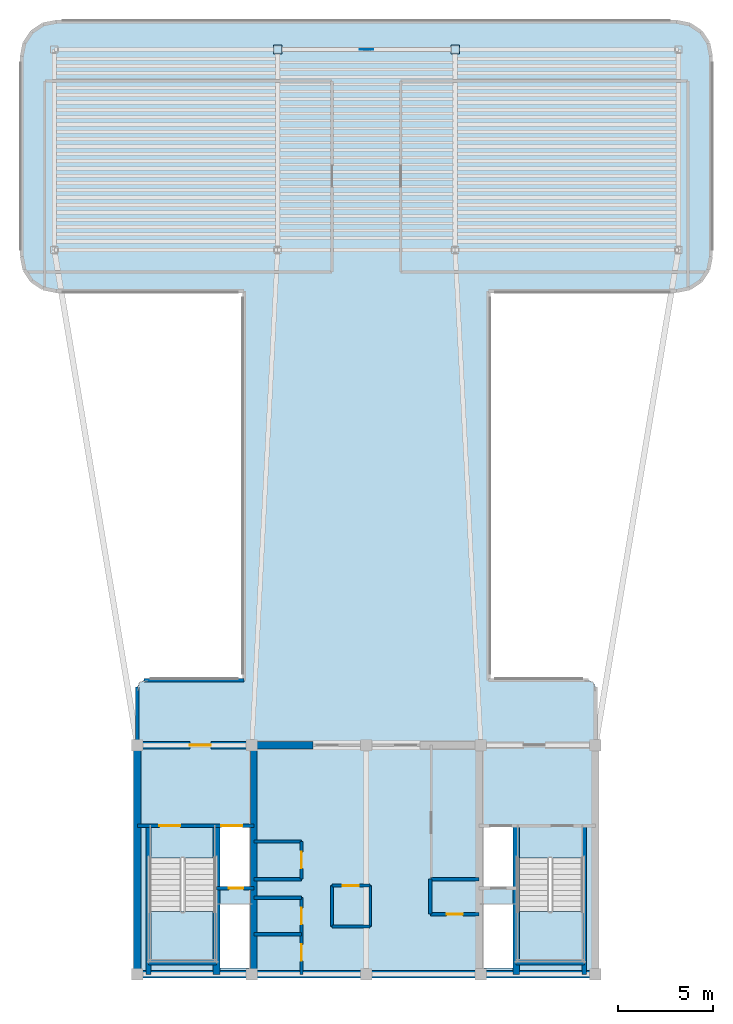
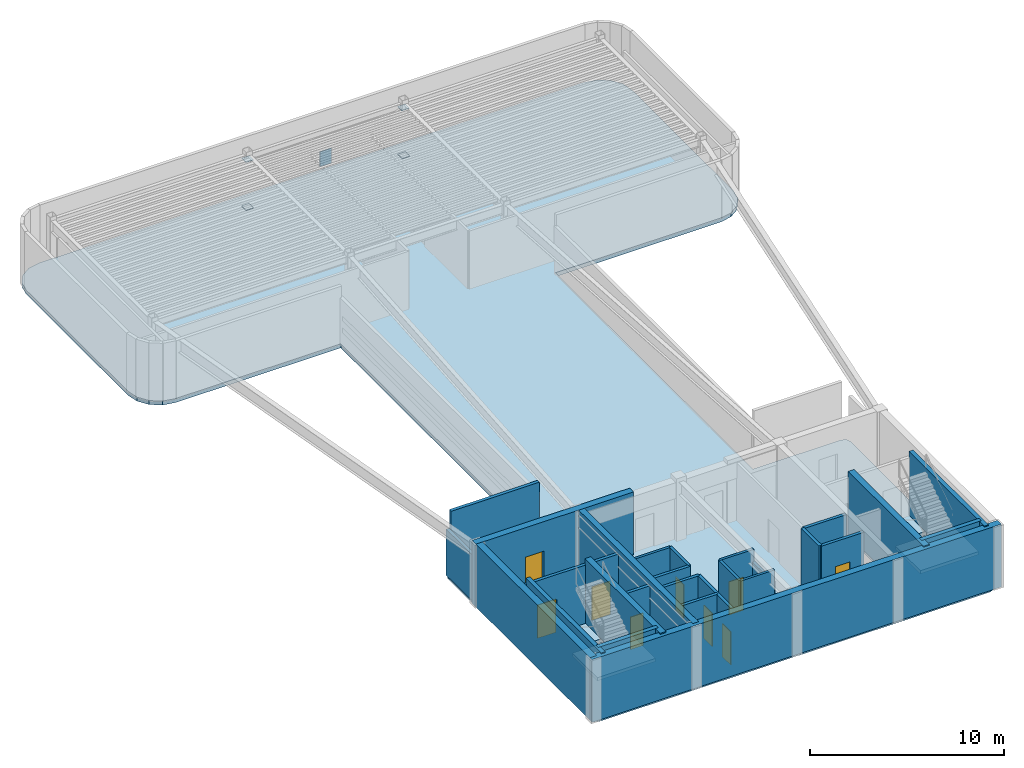
# One storey, part 2 of 6: 27 walls, 9 doors, 5 plates, 3 slabs, 9 openings, 2 elements without a shape of their own.
"""IFC4 building model written with IfcOpenShell, lengths in metres."""

from ifc_helpers import new_model, si_unit, direction, frame, frame_2d, origin, origin_2d, place, context, subcontext, project, spatial, polyline, rectangle, outline, extrude, source, transform, mapped, material, layer, layer_set, type_object, element, fill, aggregate, save


model = new_model("IFC4")

# Units and contexts
model_context = context("Model", 3, precision=1e-05, world=origin(), true_north=direction((0.0, 1.0)))
body_context = subcontext(model_context, "Body", "Model", "MODEL_VIEW")
ifc_project = project(units=[si_unit("LENGTHUNIT", "METRE"), si_unit("AREAUNIT", "SQUARE_METRE"), si_unit("VOLUMEUNIT", "CUBIC_METRE"), si_unit("PLANEANGLEUNIT", "RADIAN"), si_unit("MASSUNIT", "GRAM", prefix="KILO")], contexts=[model_context])

# Site, building, storey
site_placement = place(None, origin())
site = spatial("IfcSite", under=ifc_project, at=site_placement, CompositionType="ELEMENT")
building_placement = place(site_placement, origin())
building = spatial("IfcBuilding", under=site, at=building_placement, Name="Brelvock Crest Care Tower", CompositionType="ELEMENT")
storey_placement = place(building_placement, frame((0.0, 0.0, 303.840087890625)))
storey = spatial("IfcBuildingStorey", under=building, at=storey_placement, Name="L77", CompositionType="ELEMENT", Elevation=303.840087890625)

# Slab
ifc_material_1 = material(Name="Concrete N50 (50 MPa)", Category="concrete")
ifc_layer_1 = layer(ifc_material_1, 0.25, Name="SLB-FL3")
ifc_layer_set_1 = layer_set([ifc_layer_1], Name="Concrete N50 (50 MPa)")
slab_type_1 = type_object("IfcSlabType", Name="SLB-FL3", PredefinedType="FLOOR", material=ifc_layer_set_1)
slab_1_placement = place(storey_placement, frame((0.0, 0.0, -0.25)))
element("IfcSlab", 1, at=slab_1_placement, inside=storey, type_object=slab_type_1, Name="L77 Main Structural Slab", PredefinedType="FLOOR", context=body_context, shape_type="SweptSolid", body=[
    extrude(outline(polyline([(42.39990234375, 21.39990234375), (42.39990234375, 41.800048828125), (52.25, 41.800048828125), (52.938720703125, 41.93701171875), (53.522705078125, 42.3271484375), (53.9130859375, 42.9111328125), (54.050048828125, 43.60009765625), (54.050048828125, 54.10009765625), (53.9130859375, 54.788818359375), (53.522705078125, 55.372802734375), (52.938720703125, 55.762939453125), (52.25, 55.89990234375), (19.75, 55.89990234375), (19.061279296875, 55.762939453125), (18.477294921875, 55.372802734375), (18.0869140625, 54.788818359375), (17.949951171875, 54.10009765625), (17.949951171875, 43.60009765625), (18.0869140625, 42.9111328125), (18.477294921875, 42.3271484375), (19.061279296875, 41.93701171875), (19.75, 41.800048828125), (29.60009765625, 41.800048828125), (29.60009765625, 21.39990234375), (24.35009765625, 21.39990234375), (24.1025390625, 21.297607421875), (24.0, 21.050048828125), (24.0, 6.35009765625), (24.1025390625, 6.1025390625), (24.35009765625, 6.0), (47.64990234375, 6.0), (47.8974609375, 6.1025390625), (48.0, 6.35009765625), (48.0, 21.050048828125), (47.8974609375, 21.297607421875), (47.64990234375, 21.39990234375), (42.39990234375, 21.39990234375)]), holes=[polyline([(28.239990234375, 10.580078125), (29.97998046875, 10.580078125), (29.97998046875, 13.739990234375), (28.239990234375, 13.739990234375), (28.239990234375, 10.580078125)]), polyline([(42.02001953125, 10.580078125), (43.760009765625, 10.580078125), (43.760009765625, 13.739990234375), (42.02001953125, 13.739990234375), (42.02001953125, 10.580078125)]), polyline([(28.239990234375, 6.340087890625), (29.97998046875, 6.340087890625), (29.97998046875, 9.64990234375), (28.239990234375, 9.64990234375), (28.239990234375, 6.340087890625)]), polyline([(24.6298828125, 12.080078125), (24.6298828125, 6.699951171875), (28.110107421875, 6.699951171875), (28.110107421875, 12.080078125), (24.6298828125, 12.080078125)]), polyline([(43.889892578125, 12.080078125), (43.889892578125, 6.699951171875), (47.3701171875, 6.699951171875), (47.3701171875, 12.080078125), (43.889892578125, 12.080078125)]), polyline([(42.02001953125, 6.340087890625), (43.760009765625, 6.340087890625), (43.760009765625, 9.64990234375), (42.02001953125, 9.64990234375), (42.02001953125, 6.340087890625)])]), origin(), (0.0, 0.0, 1.0), 0.25),
])

# Stair, slab
ifc_material_2 = material(Name="Concrete N40 (40 MPa)", Category="concrete")
stair_type = type_object("IfcStairType", Name="ST-CORE1", PredefinedType="HALF_TURN_STAIR", material=ifc_material_2)
stair_1_placement = place(storey_placement, origin())
stair_1 = element("IfcStair", 2, at=stair_1_placement, inside=storey, type_object=stair_type, Name="L77 Fire-Isolated Core Stair ST-1", PredefinedType="HALF_TURN_STAIR")
ifc_layer_2 = layer(ifc_material_2, 0.199951171875, Name="STL-1")
ifc_layer_set_2 = layer_set([ifc_layer_2], Name="Concrete N40 (40 MPa)")
slab_type_2 = type_object("IfcSlabType", Name="STL-1", PredefinedType="LANDING", material=ifc_layer_set_2)
slab_2_placement = place(storey_placement, frame((0.0, 0.0, 1.780029296875)))
slab_2 = element("IfcSlab", 3, at=slab_2_placement, type_object=slab_type_2, Name="ST-1 landing 1", PredefinedType="LANDING", context=body_context, shape_type="SweptSolid", body=[
    extrude(outline(polyline([(24.6298828125, 9.280029296875), (24.6298828125, 6.699951171875), (28.110107421875, 6.699951171875), (28.110107421875, 9.280029296875), (24.6298828125, 9.280029296875)])), origin(), (0.0, 0.0, 1.0), 0.199951171875),
])
aggregate(stair_1, [slab_2])

stair_2_placement = place(storey_placement, origin())
stair_2 = element("IfcStair", 4, at=stair_2_placement, inside=storey, type_object=stair_type, Name="L77 Fire-Isolated Core Stair ST-2", PredefinedType="HALF_TURN_STAIR")
slab_3_placement = place(storey_placement, frame((0.0, 0.0, 1.780029296875)))
slab_3 = element("IfcSlab", 5, at=slab_3_placement, type_object=slab_type_2, Name="ST-2 landing 1", PredefinedType="LANDING", context=body_context, shape_type="SweptSolid", body=[
    extrude(outline(polyline([(43.889892578125, 9.280029296875), (43.889892578125, 6.699951171875), (47.3701171875, 6.699951171875), (47.3701171875, 9.280029296875), (43.889892578125, 9.280029296875)])), origin(), (0.0, 0.0, 1.0), 0.199951171875),
])
aggregate(stair_2, [slab_3])

# Plates
ifc_material_3 = material(Name="Steel Grade 350", Category="steel")
plate_type_1 = type_object("IfcPlateType", Name="PLT-EC3", PredefinedType="USERDEFINED", material=ifc_material_3)
shared_shape_1 = source(origin(), body_context, "Body", "SweptSolid", [
    extrude(rectangle(XDim=0.449951171875, YDim=0.449951171875, at=origin_2d()), origin(), (0.0, 0.0, 1.0), 0.02490234375),
])
for number, where, z_axis, x_axis, name in (
    (6, (31.35009765625, 54.449951171875, 0.33740234375), (0.0, 0.0, 1.0), (1.0, 0.0, 0.0), "PLT-WPC1-L77"),
    (7, (40.64990234375, 54.449951171875, 0.33740234375), (0.0, 0.0, 1.0), (1.0, 0.0, 0.0), "PLT-WPC2-L77"),
    (8, (40.64990234375, 54.449951171875, 3.347412109375), (0.0, 0.0, 1.0), (1.0, 0.0, 0.0), "PLT-WPC3-L77"),
    (9, (31.35009765625, 54.449951171875, 3.347412109375), (0.0, 0.0, 1.0), (1.0, 0.0, 0.0), "PLT-WPC4-L77"),
):
    element("IfcPlate", number, at=place(storey_placement, frame(where, z_axis=z_axis, x_axis=x_axis)), inside=storey, type_object=plate_type_1, Name=name, ObjectType="FLANGE_PLATE", PredefinedType="USERDEFINED", context=body_context, shape_type="MappedRepresentation", body=[
        mapped(shared_shape_1, transform((0.0, 0.0, 0.0), x_axis=(1.0, 0.0, 0.0), y_axis=(0.0, 1.0, 0.0), z_axis=(0.0, 0.0, 1.0), scale=1.0)),
    ])
plate_type_2 = type_object("IfcPlateType", Name="PLT-WPN1", PredefinedType="USERDEFINED", material=ifc_material_3)
shared_shape_2 = source(origin(), body_context, "Body", "SweptSolid", [
    extrude(rectangle(XDim=0.699951171875, YDim=0.031982421875, at=origin_2d()), origin(), (0.0, 0.0, 1.0), 0.949951171875),
])
plate_placement = place(storey_placement, frame((36.0, 54.449951171875, 1.3798828125), z_axis=(0.0, 0.0, 1.0), x_axis=(1.0, 0.0, 0.0)))
element("IfcPlate", 10, at=plate_placement, inside=storey, type_object=plate_type_2, Name="PLT-WPN-L77", ObjectType="GUSSET", PredefinedType="USERDEFINED", context=body_context, shape_type="MappedRepresentation", body=[
    mapped(shared_shape_2, transform((0.0, 0.0, 0.0), x_axis=(1.0, 0.0, 0.0), y_axis=(0.0, 1.0, 0.0), z_axis=(0.0, 0.0, 1.0), scale=1.0)),
])

# Walls
ifc_material_4 = material(Name="Concrete S65 (65 MPa)", Category="concrete")
ifc_layer_3 = layer(ifc_material_4, 0.39990234375, Name="WL-CS4")
ifc_layer_set_3 = layer_set([ifc_layer_3], Name="Concrete S65 (65 MPa)")
wall_type_1 = type_object("IfcWallType", Name="WL-CS4", PredefinedType="SHEAR", material=ifc_layer_set_3)
wall_1_placement = place(storey_placement, frame((48.199951171875, 6.0, 0.0), z_axis=(0.0, 0.0, 1.0), x_axis=(-1.0, 0.0, 0.0)))
element("IfcWall", 11, at=wall_1_placement, inside=storey, type_object=wall_type_1, Name="L77 Core South Shear Wall", PredefinedType="SHEAR", context=body_context, shape_type="SweptSolid", body=[
    extrude(rectangle(XDim=24.39990234375, YDim=0.39990234375, at=frame_2d((12.199951171875, 0.0))), origin(), (0.0, 0.0, 1.0), 3.9599609375),
])
wall_2_placement = place(storey_placement, frame((24.0, 6.0, 0.0), z_axis=(0.0, 0.0, 1.0), x_axis=(0.0, 1.0, 0.0)))
element("IfcWall", 12, at=wall_2_placement, inside=storey, type_object=wall_type_1, Name="L77 Core West Shear Wall", PredefinedType="SHEAR", context=body_context, shape_type="SweptSolid", body=[
    extrude(rectangle(XDim=12.0, YDim=0.39990234375, at=frame_2d((6.0, 0.0))), origin(), (0.0, 0.0, 1.0), 3.9599609375),
])

# Wall, opening, door
wall_3_placement = place(storey_placement, frame((23.800048828125, 18.0, 0.0), z_axis=(0.0, 0.0, 1.0), x_axis=(1.0, 0.0, 0.0)))
wall_3 = element("IfcWall", 13, at=wall_3_placement, inside=storey, type_object=wall_type_1, Name="L77 Core North-West Shear Wall", PredefinedType="SHEAR", context=body_context, shape_type="SweptSolid", body=[
    extrude(rectangle(XDim=9.39990234375, YDim=0.39990234375, at=frame_2d((4.699951171875, 0.0))), origin(), (0.0, 0.0, 1.0), 3.9599609375),
])
opening_1_placement = place(wall_3_placement, frame((2.949951171875, 0.0, 0.0)))
opening_1 = element("IfcOpeningElement", 14, at=opening_1_placement, cuts=wall_3, Name="Opening FD-1", PredefinedType="OPENING", context=body_context, shape_type="SweptSolid", body=[
    extrude(rectangle(XDim=1.10009765625, YDim=2.10009765625, at=origin_2d()), frame((0.550048828125, 0.2099609375, 1.050048828125), z_axis=(0.0, -1.0, 0.0), x_axis=(1.0, 0.0, 0.0)), (0.0, 0.0, 1.0), 0.419921875),
])
door_type_1 = type_object("IfcDoorType", Name="DR-FFL1", OperationType="NOTDEFINED", PredefinedType="DOOR", material=ifc_material_3)
shared_shape_3 = source(origin(), body_context, "Body", "SweptSolid", [
    extrude(rectangle(XDim=1.10009765625, YDim=2.10009765625, at=origin_2d()), frame((0.550048828125, 0.02490234375, 1.050048828125), z_axis=(0.0, -1.0, 0.0), x_axis=(1.0, 0.0, 0.0)), (0.0, 0.0, 1.0), 0.050048828125),
])
door_1_placement = place(opening_1_placement, origin())
door_1 = element("IfcDoor", 15, at=door_1_placement, inside=storey, type_object=door_type_1, Name="L77 Firefighting Lobby FFL-1 Exit Door", OperationType="SINGLE_SWING_LEFT", OverallHeight=2.10009765625, OverallWidth=1.10009765625, PredefinedType="DOOR", context=body_context, shape_type="MappedRepresentation", body=[
    mapped(shared_shape_3, transform((0.0, 0.0, 0.0), x_axis=(1.0, 0.0, 0.0), y_axis=(0.0, 1.0, 0.0), z_axis=(0.0, 0.0, 1.0), scale=1.0)),
])
fill(opening_1, door_1)

# Walls
ifc_material_5 = material(Name="Concrete S80 (80 MPa)", Category="concrete")
ifc_layer_4 = layer(ifc_material_5, 0.35009765625, Name="WL-CS5")
ifc_layer_set_4 = layer_set([ifc_layer_4], Name="Concrete S80 (80 MPa)")
wall_type_2 = type_object("IfcWallType", Name="WL-CS5", PredefinedType="SHEAR", material=ifc_layer_set_4)
wall_4_placement = place(storey_placement, frame((30.10009765625, 6.0, 0.0), z_axis=(0.0, 0.0, 1.0), x_axis=(0.0, 1.0, 0.0)))
element("IfcWall", 16, at=wall_4_placement, inside=storey, type_object=wall_type_2, Name="L77 Core Internal Web Wall West", PredefinedType="SHEAR", context=body_context, shape_type="SweptSolid", body=[
    extrude(rectangle(XDim=12.0, YDim=0.35009765625, at=frame_2d((6.0, 0.0))), origin(), (0.0, 0.0, 1.0), 3.9599609375),
])
for number, where, z_axis, x_axis, name in (
    (17, (28.14990234375, 6.0, 0.0), (0.0, 0.0, 1.0), (0.0, 1.0, 0.0), "L77 Core Stair ST-1 East Shear Wall"),
    (18, (43.85009765625, 6.0, 0.0), (0.0, 0.0, 1.0), (0.0, 1.0, 0.0), "L77 Core Stair ST-2 West Shear Wall"),
):
    element("IfcWall", number, at=place(storey_placement, frame(where, z_axis=z_axis, x_axis=x_axis)), inside=storey, type_object=wall_type_2, Name=name, PredefinedType="SHEAR", context=body_context, shape_type="SweptSolid", body=[
        extrude(rectangle(XDim=7.780029296875, YDim=0.35009765625, at=frame_2d((3.89013671875, 0.0))), origin(), (0.0, 0.0, 1.0), 4.030029296875),
    ])
ifc_layer_5 = layer(ifc_material_5, 0.25, Name="WL-CS6")
ifc_layer_set_5 = layer_set([ifc_layer_5], Name="Concrete S80 (80 MPa)")
wall_type_3 = type_object("IfcWallType", Name="WL-CS6", PredefinedType="SHEAR", material=ifc_layer_set_5)
wall_5_placement = place(storey_placement, frame((24.580078125, 6.0, 0.0), z_axis=(0.0, 0.0, 1.0), x_axis=(0.0, 1.0, 0.0)))
element("IfcWall", 19, at=wall_5_placement, inside=storey, type_object=wall_type_3, Name="L77 Core Stair ST-1 West Shear Wall", PredefinedType="SHEAR", context=body_context, shape_type="SweptSolid", body=[
    extrude(rectangle(XDim=7.780029296875, YDim=0.25, at=frame_2d((3.89013671875, 0.0))), origin(), (0.0, 0.0, 1.0), 4.030029296875),
])
wall_6_placement = place(storey_placement, frame((24.580078125, 6.6201171875, 0.0), z_axis=(0.0, 0.0, 1.0), x_axis=(1.0, 0.0, 0.0)))
element("IfcWall", 20, at=wall_6_placement, inside=storey, type_object=wall_type_3, Name="L77 Core Stair ST-1 South Shear Wall", PredefinedType="SHEAR", context=body_context, shape_type="SweptSolid", body=[
    extrude(rectangle(XDim=3.56982421875, YDim=0.25, at=frame_2d((1.784912109375, 0.0))), origin(), (0.0, 0.0, 1.0), 4.030029296875),
])
wall_7_placement = place(storey_placement, frame((47.419921875, 6.0, 0.0), z_axis=(0.0, 0.0, 1.0), x_axis=(0.0, 1.0, 0.0)))
element("IfcWall", 21, at=wall_7_placement, inside=storey, type_object=wall_type_3, Name="L77 Core Stair ST-2 East Shear Wall", PredefinedType="SHEAR", context=body_context, shape_type="SweptSolid", body=[
    extrude(rectangle(XDim=7.780029296875, YDim=0.25, at=frame_2d((3.89013671875, 0.0))), origin(), (0.0, 0.0, 1.0), 4.030029296875),
])
wall_8_placement = place(storey_placement, frame((43.85009765625, 6.6201171875, 0.0), z_axis=(0.0, 0.0, 1.0), x_axis=(1.0, 0.0, 0.0)))
element("IfcWall", 22, at=wall_8_placement, inside=storey, type_object=wall_type_3, Name="L77 Core Stair ST-2 South Shear Wall", PredefinedType="SHEAR", context=body_context, shape_type="SweptSolid", body=[
    extrude(rectangle(XDim=3.56982421875, YDim=0.25, at=frame_2d((1.784912109375, 0.0))), origin(), (0.0, 0.0, 1.0), 4.030029296875),
])
ifc_material_6 = material(Name="Precast concrete N40 (40 MPa)", Category="concrete")
ifc_layer_6 = layer(ifc_material_6, 0.195068359375, Name="WL-EX3")
ifc_layer_set_6 = layer_set([ifc_layer_6], Name="Precast concrete N40 (40 MPa)")
wall_type_4 = type_object("IfcWallType", Name="WL-EX3", PredefinedType="SOLIDWALL", material=ifc_layer_set_6)
wall_9_placement = place(storey_placement, frame((24.0, 18.280029296875, 0.0), z_axis=(0.0, 0.0, 1.0), x_axis=(0.0, 1.0, 0.0)))
element("IfcWall", 23, at=wall_9_placement, inside=storey, type_object=wall_type_4, Name="L77 Crown and Plant Cladding Wall 08", PredefinedType="SOLIDWALL", context=body_context, shape_type="SweptSolid", body=[
    extrude(rectangle(XDim=2.77001953125, YDim=0.195068359375, at=frame_2d((1.385009765625, 0.0))), origin(), (0.0, 0.0, 1.0), 2.89794921875),
])
wall_10_placement = place(storey_placement, frame((24.35009765625, 21.39990234375, 0.0), z_axis=(0.0, 0.0, 1.0), x_axis=(1.0, 0.0, 0.0)))
element("IfcWall", 24, at=wall_10_placement, inside=storey, type_object=wall_type_4, Name="L77 Crown and Plant Cladding Wall 11", PredefinedType="SOLIDWALL", context=body_context, shape_type="SweptSolid", body=[
    extrude(rectangle(XDim=5.25, YDim=0.195068359375, at=frame_2d((2.625, 0.0))), origin(), (0.0, 0.0, 1.0), 3.7099609375),
])
ifc_material_7 = material(Name="Masonry Blockwork Acoustic Partition", Category="masonry")
ifc_layer_7 = layer(ifc_material_7, 0.14990234375, Name="WL-INT1")
ifc_layer_set_7 = layer_set([ifc_layer_7], Name="Masonry Blockwork Acoustic Partition")
wall_type_5 = type_object("IfcWallType", Name="WL-INT1", PredefinedType="PARTITIONING", material=ifc_layer_set_7)
wall_11_placement = place(storey_placement, frame((30.10009765625, 12.949951171875, 0.0), z_axis=(0.0, 0.0, 1.0), x_axis=(1.0, 0.0, 0.0)))
element("IfcWall", 25, at=wall_11_placement, inside=storey, type_object=wall_type_5, Name="L77 Interior Wall WL-CRCL-N2-L77", PredefinedType="PARTITIONING", context=body_context, shape_type="SweptSolid", body=[
    extrude(rectangle(XDim=2.5, YDim=0.14990234375, at=frame_2d((1.25, 0.0))), origin(), (0.0, 0.0, 1.0), 3.679931640625),
])

# Wall, opening, door
wall_12_placement = place(storey_placement, frame((32.60009765625, 11.0, 0.0), z_axis=(0.0, 0.0, 1.0), x_axis=(0.0, 1.0, 0.0)))
wall_12 = element("IfcWall", 26, at=wall_12_placement, inside=storey, type_object=wall_type_5, Name="L77 Interior Wall WL-CRCL-E-L77", PredefinedType="PARTITIONING", context=body_context, shape_type="SweptSolid", body=[
    extrude(rectangle(XDim=1.949951171875, YDim=0.14990234375, at=frame_2d((0.97509765625, 0.0))), origin(), (0.0, 0.0, 1.0), 3.679931640625),
])
opening_2_placement = place(wall_12_placement, frame((0.550048828125, 0.0, 0.0)))
opening_2 = element("IfcOpeningElement", 27, at=opening_2_placement, cuts=wall_12, Name="Opening ID-1", PredefinedType="OPENING", context=body_context, shape_type="SweptSolid", body=[
    extrude(rectangle(XDim=0.860107421875, YDim=2.10009765625, at=origin_2d()), frame((0.43017578125, 0.0849609375, 1.050048828125), z_axis=(0.0, -1.0, 0.0), x_axis=(1.0, 0.0, 0.0)), (0.0, 0.0, 1.0), 0.169921875),
])
ifc_material_8 = material(Name="Engineered Hardwood Timber", Category="wood")
door_type_2 = type_object("IfcDoorType", Name="DR-INT1", OperationType="NOTDEFINED", PredefinedType="DOOR", material=ifc_material_8)
shared_shape_4 = source(origin(), body_context, "Body", "SweptSolid", [
    extrude(rectangle(XDim=0.860107421875, YDim=2.10009765625, at=origin_2d()), frame((0.43017578125, 0.02490234375, 1.050048828125), z_axis=(0.0, -1.0, 0.0), x_axis=(1.0, 0.0, 0.0)), (0.0, 0.0, 1.0), 0.050048828125),
])
door_2_placement = place(opening_2_placement, origin())
door_2 = element("IfcDoor", 28, at=door_2_placement, inside=storey, type_object=door_type_2, Name="DR-CRCL1-L77", OperationType="SINGLE_SWING_LEFT", OverallHeight=2.10009765625, OverallWidth=0.860107421875, PredefinedType="DOOR", context=body_context, shape_type="MappedRepresentation", body=[
    mapped(shared_shape_4, transform((0.0, 0.0, 0.0), x_axis=(1.0, 0.0, 0.0), y_axis=(0.0, 1.0, 0.0), z_axis=(0.0, 0.0, 1.0), scale=1.0)),
])
fill(opening_2, door_2)

# Walls
wall_13_placement = place(storey_placement, frame((34.199951171875, 8.5, 0.0), z_axis=(0.0, 0.0, 1.0), x_axis=(1.0, 0.0, 0.0)))
element("IfcWall", 29, at=wall_13_placement, inside=storey, type_object=wall_type_5, Name="L77 Interior Wall WL-CRCM-S-L77", PredefinedType="PARTITIONING", context=body_context, shape_type="SweptSolid", body=[
    extrude(rectangle(XDim=2.0, YDim=0.14990234375, at=frame_2d((1.0, 0.0))), origin(), (0.0, 0.0, 1.0), 3.679931640625),
])
wall_14_placement = place(storey_placement, frame((34.199951171875, 8.5, 0.0), z_axis=(0.0, 0.0, 1.0), x_axis=(0.0, 1.0, 0.0)))
element("IfcWall", 30, at=wall_14_placement, inside=storey, type_object=wall_type_5, Name="L77 Interior Wall WL-CRCM-W-L77", PredefinedType="PARTITIONING", context=body_context, shape_type="SweptSolid", body=[
    extrude(rectangle(XDim=2.14990234375, YDim=0.14990234375, at=frame_2d((1.074951171875, 0.0))), origin(), (0.0, 0.0, 1.0), 3.679931640625),
])
wall_15_placement = place(storey_placement, frame((36.199951171875, 8.5, 0.0), z_axis=(0.0, 0.0, 1.0), x_axis=(0.0, 1.0, 0.0)))
element("IfcWall", 31, at=wall_15_placement, inside=storey, type_object=wall_type_5, Name="L77 Interior Wall WL-CRCM-E-L77", PredefinedType="PARTITIONING", context=body_context, shape_type="SweptSolid", body=[
    extrude(rectangle(XDim=2.14990234375, YDim=0.14990234375, at=frame_2d((1.074951171875, 0.0))), origin(), (0.0, 0.0, 1.0), 2.89501953125),
])

# Wall, opening, door
wall_16_placement = place(storey_placement, frame((34.199951171875, 10.64990234375, 0.0), z_axis=(0.0, 0.0, 1.0), x_axis=(1.0, 0.0, 0.0)))
wall_16 = element("IfcWall", 32, at=wall_16_placement, inside=storey, type_object=wall_type_5, Name="L77 Interior Wall WL-CRCM-N-L77", PredefinedType="PARTITIONING", context=body_context, shape_type="SweptSolid", body=[
    extrude(rectangle(XDim=2.0, YDim=0.14990234375, at=frame_2d((1.0, 0.0))), origin(), (0.0, 0.0, 1.0), 3.679931640625),
])
opening_3_placement = place(wall_16_placement, frame((0.550048828125, 0.0, 0.0)))
opening_3 = element("IfcOpeningElement", 33, at=opening_3_placement, cuts=wall_16, Name="Opening ID-1", PredefinedType="OPENING", context=body_context, shape_type="SweptSolid", body=[
    extrude(rectangle(XDim=0.860107421875, YDim=2.10009765625, at=origin_2d()), frame((0.43017578125, 0.0849609375, 1.050048828125), z_axis=(0.0, -1.0, 0.0), x_axis=(1.0, 0.0, 0.0)), (0.0, 0.0, 1.0), 0.169921875),
])
door_3_placement = place(opening_3_placement, origin())
door_3 = element("IfcDoor", 34, at=door_3_placement, inside=storey, type_object=door_type_2, Name="DR-CRCM1-L77", OperationType="SINGLE_SWING_LEFT", OverallHeight=2.10009765625, OverallWidth=0.860107421875, PredefinedType="DOOR", context=body_context, shape_type="MappedRepresentation", body=[
    mapped(shared_shape_4, transform((0.0, 0.0, 0.0), x_axis=(1.0, 0.0, 0.0), y_axis=(0.0, 1.0, 0.0), z_axis=(0.0, 0.0, 1.0), scale=1.0)),
])
fill(opening_3, door_3)

# Walls
ifc_layer_8 = layer(ifc_material_7, 0.179931640625, Name="WL-SHF1")
ifc_layer_set_8 = layer_set([ifc_layer_8], Name="Masonry Blockwork Acoustic Partition")
wall_type_6 = type_object("IfcWallType", Name="WL-SHF1", PredefinedType="PARTITIONING", material=ifc_layer_set_8)
wall_17_placement = place(storey_placement, frame((30.10009765625, 10.97998046875, 0.0), z_axis=(0.0, 0.0, 1.0), x_axis=(1.0, 0.0, 0.0)))
element("IfcWall", 35, at=wall_17_placement, inside=storey, type_object=wall_type_6, Name="L77 Interior Wall WL-CSBW-N-L77", PredefinedType="PARTITIONING", context=body_context, shape_type="SweptSolid", body=[
    extrude(rectangle(XDim=2.5, YDim=0.179931640625, at=frame_2d((1.25, 0.0))), origin(), (0.0, 0.0, 1.0), 3.679931640625),
])
wall_18_placement = place(storey_placement, frame((39.35009765625, 10.97998046875, 0.0), z_axis=(0.0, 0.0, 1.0), x_axis=(1.0, 0.0, 0.0)))
element("IfcWall", 36, at=wall_18_placement, inside=storey, type_object=wall_type_6, Name="L77 Interior Wall WL-CSBE-N-L77", PredefinedType="PARTITIONING", context=body_context, shape_type="SweptSolid", body=[
    extrude(rectangle(XDim=2.5498046875, YDim=0.179931640625, at=frame_2d((1.27490234375, 0.0))), origin(), (0.0, 0.0, 1.0), 3.679931640625),
])
for number, where, z_axis, x_axis, name in (
    (37, (30.10009765625, 8.10009765625, 0.0), (0.0, 0.0, 1.0), (1.0, 0.0, 0.0), "L77 Interior Wall WL-CSBW-SP-L77"),
    (38, (30.10009765625, 10.02001953125, 0.0), (0.0, 0.0, 1.0), (1.0, 0.0, 0.0), "L77 Interior Wall WL-CSBW-N2-L77"),
):
    element("IfcWall", number, at=place(storey_placement, frame(where, z_axis=z_axis, x_axis=x_axis)), inside=storey, type_object=wall_type_6, Name=name, PredefinedType="PARTITIONING", context=body_context, shape_type="SweptSolid", body=[
        extrude(rectangle(XDim=2.5, YDim=0.179931640625, at=frame_2d((1.25, 0.0))), origin(), (0.0, 0.0, 1.0), 3.679931640625),
    ])

# Wall, openings, doors
wall_19_placement = place(storey_placement, frame((32.60009765625, 6.0, 0.0), z_axis=(0.0, 0.0, 1.0), x_axis=(0.0, 1.0, 0.0)))
wall_19 = element("IfcWall", 39, at=wall_19_placement, inside=storey, type_object=wall_type_6, Name="L77 Interior Wall WL-CSBW-E-L77", PredefinedType="PARTITIONING", context=body_context, shape_type="SweptSolid", body=[
    extrude(rectangle(XDim=4.02001953125, YDim=0.179931640625, at=frame_2d((2.010009765625, 0.0))), origin(), (0.0, 0.0, 1.0), 3.679931640625),
])
opening_4_placement = place(wall_19_placement, frame((0.699951171875, 0.0, 0.0)))
opening_4 = element("IfcOpeningElement", 40, at=opening_4_placement, cuts=wall_19, Name="Opening ID-1", PredefinedType="OPENING", context=body_context, shape_type="SweptSolid", body=[
    extrude(rectangle(XDim=0.860107421875, YDim=2.10009765625, at=origin_2d()), frame((0.43017578125, 0.10009765625, 1.050048828125), z_axis=(0.0, -1.0, 0.0), x_axis=(1.0, 0.0, 0.0)), (0.0, 0.0, 1.0), 0.199951171875),
])
opening_5_placement = place(wall_19_placement, frame((2.6201171875, 0.0, 0.0)))
opening_5 = element("IfcOpeningElement", 41, at=opening_5_placement, cuts=wall_19, Name="Opening ID-1", PredefinedType="OPENING", context=body_context, shape_type="SweptSolid", body=[
    extrude(rectangle(XDim=0.860107421875, YDim=2.10009765625, at=origin_2d()), frame((0.43017578125, 0.10009765625, 1.050048828125), z_axis=(0.0, -1.0, 0.0), x_axis=(1.0, 0.0, 0.0)), (0.0, 0.0, 1.0), 0.199951171875),
])
door_4_placement = place(opening_4_placement, origin())
door_4 = element("IfcDoor", 42, at=door_4_placement, inside=storey, type_object=door_type_2, Name="DR-CSBW1-L77", OperationType="SINGLE_SWING_LEFT", OverallHeight=2.10009765625, OverallWidth=0.860107421875, PredefinedType="DOOR", context=body_context, shape_type="MappedRepresentation", body=[
    mapped(shared_shape_4, transform((0.0, 0.0, 0.0), x_axis=(1.0, 0.0, 0.0), y_axis=(0.0, 1.0, 0.0), z_axis=(0.0, 0.0, 1.0), scale=1.0)),
])
fill(opening_4, door_4)
door_5_placement = place(opening_5_placement, origin())
door_5 = element("IfcDoor", 43, at=door_5_placement, inside=storey, type_object=door_type_2, Name="DR-CSBW2-L77", OperationType="SINGLE_SWING_RIGHT", OverallHeight=2.10009765625, OverallWidth=0.860107421875, PredefinedType="DOOR", context=body_context, shape_type="MappedRepresentation", body=[
    mapped(shared_shape_4, transform((0.0, 0.0, 0.0), x_axis=(1.0, 0.0, 0.0), y_axis=(0.0, 1.0, 0.0), z_axis=(0.0, 0.0, 1.0), scale=1.0)),
])
fill(opening_5, door_5)

# Wall
wall_20_placement = place(storey_placement, frame((39.35009765625, 9.14990234375, 0.0), z_axis=(0.0, 0.0, 1.0), x_axis=(0.0, 1.0, 0.0)))
element("IfcWall", 44, at=wall_20_placement, inside=storey, type_object=wall_type_6, Name="L77 Interior Wall WL-CSBE-W-L77", PredefinedType="PARTITIONING", context=body_context, shape_type="SweptSolid", body=[
    extrude(rectangle(XDim=1.830078125, YDim=0.179931640625, at=frame_2d((0.9150390625, 0.0))), origin(), (0.0, 0.0, 1.0), 3.679931640625),
])

# Wall, opening, door
wall_21_placement = place(storey_placement, frame((39.35009765625, 9.14990234375, 0.0), z_axis=(0.0, 0.0, 1.0), x_axis=(1.0, 0.0, 0.0)))
wall_21 = element("IfcWall", 45, at=wall_21_placement, inside=storey, type_object=wall_type_6, Name="L77 Interior Wall WL-CSBE-S-L77", PredefinedType="PARTITIONING", context=body_context, shape_type="SweptSolid", body=[
    extrude(rectangle(XDim=2.5498046875, YDim=0.179931640625, at=frame_2d((1.27490234375, 0.0))), origin(), (0.0, 0.0, 1.0), 3.679931640625),
])
opening_6_placement = place(wall_21_placement, frame((0.85009765625, 0.0, 0.0)))
opening_6 = element("IfcOpeningElement", 46, at=opening_6_placement, cuts=wall_21, Name="Opening ID-1", PredefinedType="OPENING", context=body_context, shape_type="SweptSolid", body=[
    extrude(rectangle(XDim=0.860107421875, YDim=2.10009765625, at=origin_2d()), frame((0.43017578125, 0.10009765625, 1.050048828125), z_axis=(0.0, -1.0, 0.0), x_axis=(1.0, 0.0, 0.0)), (0.0, 0.0, 1.0), 0.199951171875),
])
door_6_placement = place(opening_6_placement, origin())
door_6 = element("IfcDoor", 47, at=door_6_placement, inside=storey, type_object=door_type_2, Name="DR-CSBE-L77", OperationType="SINGLE_SWING_LEFT", OverallHeight=2.10009765625, OverallWidth=0.860107421875, PredefinedType="DOOR", context=body_context, shape_type="MappedRepresentation", body=[
    mapped(shared_shape_4, transform((0.0, 0.0, 0.0), x_axis=(1.0, 0.0, 0.0), y_axis=(0.0, 1.0, 0.0), z_axis=(0.0, 0.0, 1.0), scale=1.0)),
])
fill(opening_6, door_6)

# Wall, openings, doors
wall_22_placement = place(storey_placement, frame((24.0, 13.780029296875, 0.0), z_axis=(0.0, 0.0, 1.0), x_axis=(1.0, 0.0, 0.0)))
wall_22 = element("IfcWall", 48, at=wall_22_placement, inside=storey, type_object=wall_type_6, Name="L77 Interior Wall WL-ST1-N-L77", PredefinedType="PARTITIONING", context=body_context, shape_type="SweptSolid", body=[
    extrude(rectangle(XDim=6.10009765625, YDim=0.179931640625, at=frame_2d((3.050048828125, 0.0))), origin(), (0.0, 0.0, 1.0), 3.679931640625),
])
opening_7_placement = place(wall_22_placement, frame((1.14990234375, 0.0, 0.0)))
opening_7 = element("IfcOpeningElement", 49, at=opening_7_placement, cuts=wall_22, Name="Opening SD-1", PredefinedType="OPENING", context=body_context, shape_type="SweptSolid", body=[
    extrude(rectangle(XDim=1.10009765625, YDim=2.10009765625, at=origin_2d()), frame((0.550048828125, 0.10009765625, 1.050048828125), z_axis=(0.0, -1.0, 0.0), x_axis=(1.0, 0.0, 0.0)), (0.0, 0.0, 1.0), 0.199951171875),
])
opening_8_placement = place(wall_22_placement, frame((4.39990234375, 0.0, 0.0)))
opening_8 = element("IfcOpeningElement", 50, at=opening_8_placement, cuts=wall_22, Name="Opening LD", PredefinedType="OPENING", context=body_context, shape_type="SweptSolid", body=[
    extrude(rectangle(XDim=1.10009765625, YDim=2.10009765625, at=origin_2d()), frame((0.550048828125, 0.10009765625, 1.050048828125), z_axis=(0.0, -1.0, 0.0), x_axis=(1.0, 0.0, 0.0)), (0.0, 0.0, 1.0), 0.199951171875),
])
door_type_3 = type_object("IfcDoorType", Name="DR-ST1", OperationType="NOTDEFINED", PredefinedType="DOOR", material=ifc_material_3)
shared_shape_5 = source(origin(), body_context, "Body", "SweptSolid", [
    extrude(rectangle(XDim=1.10009765625, YDim=2.10009765625, at=origin_2d()), frame((0.550048828125, 0.02490234375, 1.050048828125), z_axis=(0.0, -1.0, 0.0), x_axis=(1.0, 0.0, 0.0)), (0.0, 0.0, 1.0), 0.050048828125),
])
door_7_placement = place(opening_7_placement, origin())
door_7 = element("IfcDoor", 51, at=door_7_placement, inside=storey, type_object=door_type_3, Name="L77 Fire Stair ST-1 Door", OperationType="SINGLE_SWING_LEFT", OverallHeight=2.10009765625, OverallWidth=1.10009765625, PredefinedType="DOOR", context=body_context, shape_type="MappedRepresentation", body=[
    mapped(shared_shape_5, transform((0.0, 0.0, 0.0), x_axis=(1.0, 0.0, 0.0), y_axis=(0.0, 1.0, 0.0), z_axis=(0.0, 0.0, 1.0), scale=1.0)),
])
fill(opening_7, door_7)
door_type_4 = type_object("IfcDoorType", Name="DR-LD1", OperationType="NOTDEFINED", PredefinedType="DOOR", material=ifc_material_3)
shared_shape_6 = source(origin(), body_context, "Body", "SweptSolid", [
    extrude(rectangle(XDim=1.10009765625, YDim=2.10009765625, at=origin_2d()), frame((0.550048828125, 0.02490234375, 1.050048828125), z_axis=(0.0, -1.0, 0.0), x_axis=(1.0, 0.0, 0.0)), (0.0, 0.0, 1.0), 0.050048828125),
])
door_8_placement = place(opening_8_placement, origin())
door_8 = element("IfcDoor", 52, at=door_8_placement, inside=storey, type_object=door_type_4, Name="L77 Firefighting Lift FFL-1 Landing Door", OperationType="SLIDING_TO_LEFT", OverallHeight=2.10009765625, OverallWidth=1.10009765625, PredefinedType="DOOR", context=body_context, shape_type="MappedRepresentation", body=[
    mapped(shared_shape_6, transform((0.0, 0.0, 0.0), x_axis=(1.0, 0.0, 0.0), y_axis=(0.0, 1.0, 0.0), z_axis=(0.0, 0.0, 1.0), scale=1.0)),
])
fill(opening_8, door_8)

# Wall, opening, door
wall_23_placement = place(storey_placement, frame((28.14990234375, 10.5, 0.0), z_axis=(0.0, 0.0, 1.0), x_axis=(1.0, 0.0, 0.0)))
wall_23 = element("IfcWall", 53, at=wall_23_placement, inside=storey, type_object=wall_type_6, Name="L77 Interior Wall WL-FFH1-S-L77", PredefinedType="PARTITIONING", context=body_context, shape_type="SweptSolid", body=[
    extrude(rectangle(XDim=1.9501953125, YDim=0.179931640625, at=frame_2d((0.97509765625, 0.0))), origin(), (0.0, 0.0, 1.0), 3.679931640625),
])
opening_9_placement = place(wall_23_placement, frame((0.64990234375, 0.0, 0.0)))
opening_9 = element("IfcOpeningElement", 54, at=opening_9_placement, cuts=wall_23, Name="Opening RD-1", PredefinedType="OPENING", context=body_context, shape_type="SweptSolid", body=[
    extrude(rectangle(XDim=0.760009765625, YDim=2.050048828125, at=origin_2d()), frame((0.3798828125, 0.10009765625, 1.02490234375), z_axis=(0.0, -1.0, 0.0), x_axis=(1.0, 0.0, 0.0)), (0.0, 0.0, 1.0), 0.199951171875),
])
door_type_5 = type_object("IfcDoorType", Name="DR-RIS1", OperationType="NOTDEFINED", PredefinedType="DOOR", material=ifc_material_3)
shared_shape_7 = source(origin(), body_context, "Body", "SweptSolid", [
    extrude(rectangle(XDim=0.760009765625, YDim=2.050048828125, at=origin_2d()), frame((0.3798828125, 0.02490234375, 1.02490234375), z_axis=(0.0, -1.0, 0.0), x_axis=(1.0, 0.0, 0.0)), (0.0, 0.0, 1.0), 0.050048828125),
])
door_9_placement = place(opening_9_placement, origin())
door_9 = element("IfcDoor", 55, at=door_9_placement, inside=storey, type_object=door_type_5, Name="L77 Wet Fire Riser Access Door", OperationType="SINGLE_SWING_LEFT", OverallHeight=2.050048828125, OverallWidth=0.760009765625, PredefinedType="DOOR", context=body_context, shape_type="MappedRepresentation", body=[
    mapped(shared_shape_7, transform((0.0, 0.0, 0.0), x_axis=(1.0, 0.0, 0.0), y_axis=(0.0, 1.0, 0.0), z_axis=(0.0, 0.0, 1.0), scale=1.0)),
])
fill(opening_9, door_9)

save(model, "model.ifc")
